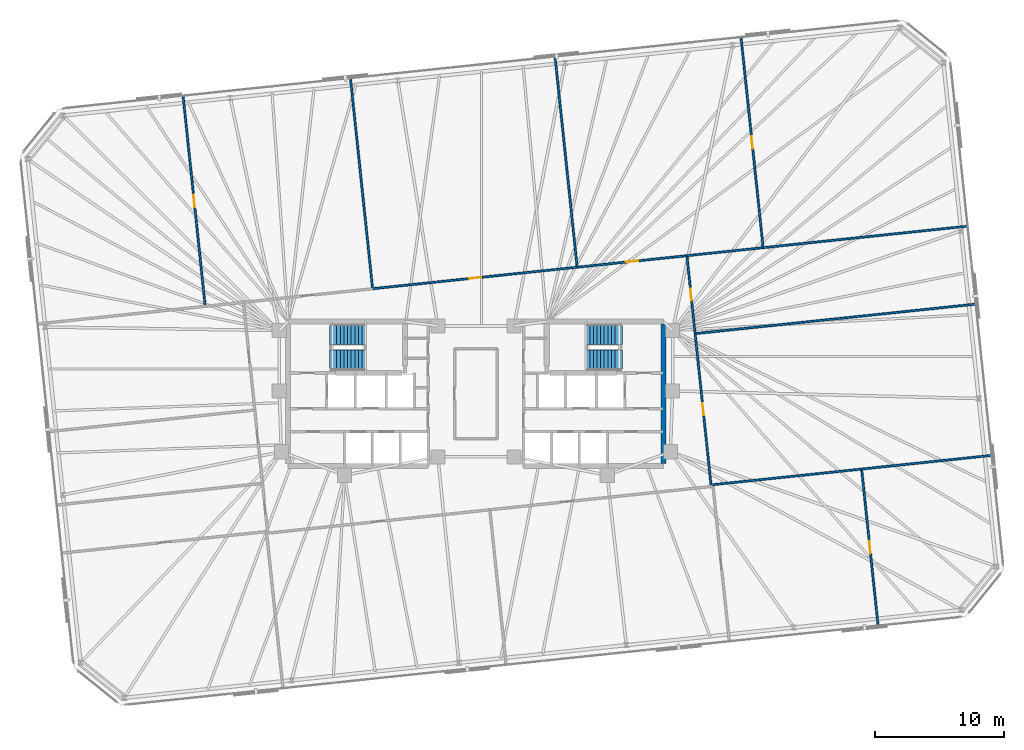
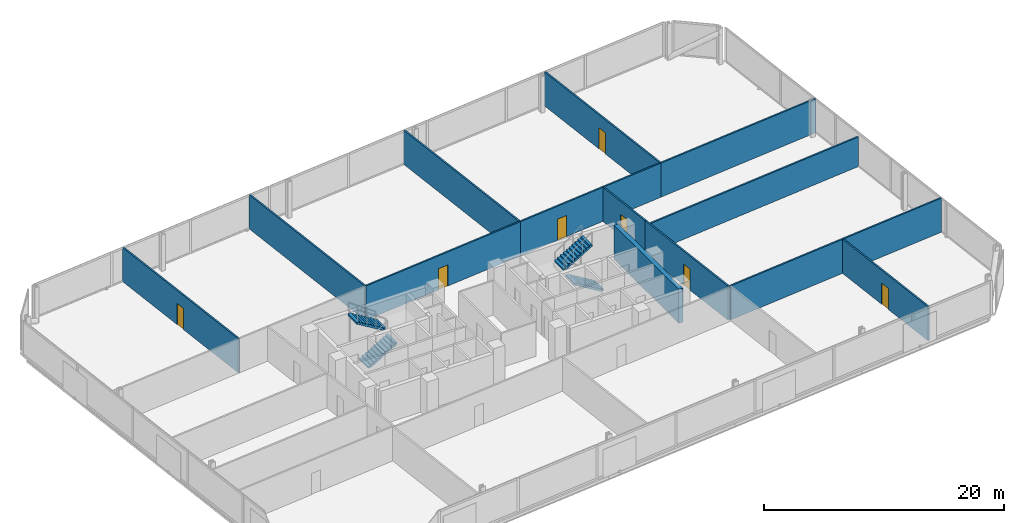
# One storey, part 16 of 18: 15 walls, 7 doors, 4 stair flights, 7 openings, 2 elements without a shape of their own.
"""IFC4 building model written with IfcOpenShell, lengths in metres."""

from ifc_helpers import new_model, si_unit, direction, frame, frame_2d, origin, place, context, subcontext, project, spatial, polyline, rectangle, outline, extrude, material, layer, layer_set, type_object, element, fill, aggregate, save


model = new_model("IFC4")

# Units and contexts
model_context = context("Model", 3, precision=1e-05, world=origin(), true_north=direction((0.0, 1.0)))
body_context = subcontext(model_context, "Body", "Model", "MODEL_VIEW")
ifc_project = project(units=[si_unit("LENGTHUNIT", "METRE"), si_unit("AREAUNIT", "SQUARE_METRE"), si_unit("VOLUMEUNIT", "CUBIC_METRE"), si_unit("PLANEANGLEUNIT", "RADIAN"), si_unit("MASSUNIT", "GRAM", prefix="KILO")], contexts=[model_context])

# Site, building, storey
site_placement = place(None, origin())
site = spatial("IfcSite", under=ifc_project, at=site_placement, CompositionType="ELEMENT")
building_placement = place(site_placement, origin())
building = spatial("IfcBuilding", under=site, at=building_placement, Name="Menara Jurai Vektor", CompositionType="ELEMENT")
storey_placement = place(building_placement, frame((0.0, 0.0, 117.0)))
storey = spatial("IfcBuildingStorey", under=building, at=storey_placement, Name="L29", CompositionType="ELEMENT", Elevation=117.0)

# Wall, opening, door
ifc_material_1 = material(Name="Gypsum Fireboard Partition", Category="gypsum")
ifc_layer_1 = layer(ifc_material_1, 0.14990234375)
ifc_layer_set_1 = layer_set([ifc_layer_1], Name="Gypsum Fireboard Partition")
wall_type_1 = type_object("IfcWallType", Name="INT-WALL-CORR-150", PredefinedType="PARTITIONING", material=ifc_layer_set_1)
wall_1_placement = place(storey_placement, frame((-8.009521484375, 8.142578125, 0.0), z_axis=(0.0, 0.0, 1.0), x_axis=(0.994521795881, 0.104529409818, 0.0)))
wall_1 = element("IfcWall", 1, at=wall_1_placement, inside=storey, type_object=wall_type_1, Name="Interior Wall IW-150 L29", PredefinedType="PARTITIONING", context=body_context, shape_type="SweptSolid", body=[
    extrude(rectangle(XDim=15.949951171875, YDim=0.14990234375, at=frame_2d((7.97509765625, 0.0))), origin(), (0.0, 0.0, 1.0), 3.47509765625),
])
opening_1_placement = place(wall_1_placement, frame((7.5, 0.0, 0.0)))
opening_1 = element("IfcOpeningElement", 2, at=opening_1_placement, cuts=wall_1, Name="Opening D29-10", PredefinedType="OPENING", context=body_context, shape_type="SweptSolid", body=[
    extrude(rectangle(XDim=0.949951171875, YDim=2.14990234375, at=frame_2d((0.47509765625, 1.074951171875))), frame((0.0, 0.0849609375, 0.0), z_axis=(0.0, -1.0, 0.0), x_axis=(1.0, 0.0, 0.0)), (0.0, 0.0, 1.0), 0.169921875),
])
ifc_material_2 = material(Name="Solid Core Timber Fire Door", Category="wood")
door_type = type_object("IfcDoorType", Name="DR-ENTRY-950", OperationType="NOTDEFINED", PredefinedType="DOOR", material=ifc_material_2)
door_1_placement = place(opening_1_placement, origin())
door_1 = element("IfcDoor", 3, at=door_1_placement, inside=storey, type_object=door_type, Name="Interior Door D29-10", OperationType="SINGLE_SWING_LEFT", OverallHeight=2.14990234375, OverallWidth=0.949951171875, PredefinedType="DOOR", context=body_context, shape_type="SweptSolid", body=[
    extrude(rectangle(XDim=0.949951171875, YDim=2.14990234375, at=frame_2d((0.47509765625, 1.074951171875))), frame((0.0, 0.02490234375, 0.0), z_axis=(0.0, -1.0, 0.0), x_axis=(1.0, 0.0, 0.0)), (0.0, 0.0, 1.0), 0.050048828125),
])
fill(opening_1, door_1)

wall_2_placement = place(storey_placement, frame((7.85302734375, 9.809814453125, 0.0), z_axis=(0.0, 0.0, 1.0), x_axis=(0.994524040814, 0.104508048698, 0.0)))
wall_2 = element("IfcWall", 4, at=wall_2_placement, inside=storey, type_object=wall_type_1, Name="Interior Wall IW-150 L29", PredefinedType="PARTITIONING", context=body_context, shape_type="SweptSolid", body=[
    extrude(rectangle(XDim=8.55712890625, YDim=0.14990234375, at=frame_2d((4.278564453125, 0.0))), origin(), (0.0, 0.0, 1.0), 3.47509765625),
])
opening_2_placement = place(wall_2_placement, frame((3.803466796875, 0.0, 0.0)))
opening_2 = element("IfcOpeningElement", 5, at=opening_2_placement, cuts=wall_2, Name="Opening D29-11", PredefinedType="OPENING", context=body_context, shape_type="SweptSolid", body=[
    extrude(rectangle(XDim=0.949951171875, YDim=2.14990234375, at=frame_2d((0.47509765625, 1.074951171875))), frame((0.0, 0.0849609375, 0.0), z_axis=(0.0, -1.0, 0.0), x_axis=(1.0, 0.0, 0.0)), (0.0, 0.0, 1.0), 0.169921875),
])
door_2_placement = place(opening_2_placement, origin())
door_2 = element("IfcDoor", 6, at=door_2_placement, inside=storey, type_object=door_type, Name="Interior Door D29-11", OperationType="SINGLE_SWING_RIGHT", OverallHeight=2.14990234375, OverallWidth=0.949951171875, PredefinedType="DOOR", context=body_context, shape_type="SweptSolid", body=[
    extrude(rectangle(XDim=0.949951171875, YDim=2.14990234375, at=frame_2d((0.47509765625, 1.074951171875))), frame((0.0, 0.02490234375, 0.0), z_axis=(0.0, -1.0, 0.0), x_axis=(1.0, 0.0, 0.0)), (0.0, 0.0, 1.0), 0.050048828125),
])
fill(opening_2, door_2)

wall_3_placement = place(storey_placement, frame((18.231201171875, -7.06787109375, 0.0), z_axis=(0.0, 0.0, 1.0), x_axis=(-0.104536082083, 0.994521094569, 0.0)))
wall_3 = element("IfcWall", 7, at=wall_3_placement, inside=storey, type_object=wall_type_1, Name="Interior Wall IW-150 L29", PredefinedType="PARTITIONING", context=body_context, shape_type="SweptSolid", body=[
    extrude(rectangle(XDim=11.794189453125, YDim=0.14990234375, at=frame_2d((5.89697265625, 0.0))), origin(), (0.0, 0.0, 1.0), 3.47509765625),
])
opening_3_placement = place(wall_3_placement, frame((5.422119140625, 0.0, 0.0)))
opening_3 = element("IfcOpeningElement", 8, at=opening_3_placement, cuts=wall_3, Name="Opening D29-17", PredefinedType="OPENING", context=body_context, shape_type="SweptSolid", body=[
    extrude(rectangle(XDim=0.949951171875, YDim=2.14990234375, at=frame_2d((0.47509765625, 1.074951171875))), frame((0.0, 0.0849609375, 0.0), z_axis=(0.0, -1.0, 0.0), x_axis=(1.0, 0.0, 0.0)), (0.0, 0.0, 1.0), 0.169921875),
])
door_3_placement = place(opening_3_placement, origin())
door_3 = element("IfcDoor", 9, at=door_3_placement, inside=storey, type_object=door_type, Name="Interior Door D29-17", OperationType="SINGLE_SWING_RIGHT", OverallHeight=2.14990234375, OverallWidth=0.949951171875, PredefinedType="DOOR", context=body_context, shape_type="SweptSolid", body=[
    extrude(rectangle(XDim=0.949951171875, YDim=2.14990234375, at=frame_2d((0.47509765625, 1.074951171875))), frame((0.0, 0.02490234375, 0.0), z_axis=(0.0, -1.0, 0.0), x_axis=(1.0, 0.0, 0.0)), (0.0, 0.0, 1.0), 0.050048828125),
])
fill(opening_3, door_3)

wall_4_placement = place(storey_placement, frame((16.998291015625, 4.66162109375, 0.0), z_axis=(0.0, 0.0, 1.0), x_axis=(-0.104515354875, 0.994523273029, 0.0)))
wall_4 = element("IfcWall", 10, at=wall_4_placement, inside=storey, type_object=wall_type_1, Name="Interior Wall IW-150 L29", PredefinedType="PARTITIONING", context=body_context, shape_type="SweptSolid", body=[
    extrude(rectangle(XDim=6.07568359375, YDim=0.14990234375, at=frame_2d((3.037841796875, 0.0))), origin(), (0.0, 0.0, 1.0), 3.47509765625),
])
opening_4_placement = place(wall_4_placement, frame((2.56298828125, 0.0, 0.0)))
opening_4 = element("IfcOpeningElement", 11, at=opening_4_placement, cuts=wall_4, Name="Opening D29-18", PredefinedType="OPENING", context=body_context, shape_type="SweptSolid", body=[
    extrude(rectangle(XDim=0.949951171875, YDim=2.14990234375, at=frame_2d((0.47509765625, 1.074951171875))), frame((0.0, 0.0849609375, 0.0), z_axis=(0.0, -1.0, 0.0), x_axis=(1.0, 0.0, 0.0)), (0.0, 0.0, 1.0), 0.169921875),
])
door_4_placement = place(opening_4_placement, origin())
door_4 = element("IfcDoor", 12, at=door_4_placement, inside=storey, type_object=door_type, Name="Interior Door D29-18", OperationType="SINGLE_SWING_LEFT", OverallHeight=2.14990234375, OverallWidth=0.949951171875, PredefinedType="DOOR", context=body_context, shape_type="SweptSolid", body=[
    extrude(rectangle(XDim=0.949951171875, YDim=2.14990234375, at=frame_2d((0.47509765625, 1.074951171875))), frame((0.0, 0.02490234375, 0.0), z_axis=(0.0, -1.0, 0.0), x_axis=(1.0, 0.0, 0.0)), (0.0, 0.0, 1.0), 0.050048828125),
])
fill(opening_4, door_4)

wall_5_placement = place(storey_placement, frame((-20.988037109375, 6.778564453125, 0.0), z_axis=(0.0, 0.0, 1.0), x_axis=(-0.104521364336, 0.99452264147, 0.0)))
wall_5 = element("IfcWall", 13, at=wall_5_placement, inside=storey, type_object=wall_type_1, Name="Interior Wall IW-150 L29", PredefinedType="PARTITIONING", context=body_context, shape_type="SweptSolid", body=[
    extrude(rectangle(XDim=16.408935546875, YDim=0.14990234375, at=frame_2d((8.20458984375, 0.0))), origin(), (0.0, 0.0, 1.0), 3.47509765625),
])
opening_5_placement = place(wall_5_placement, frame((7.7294921875, 0.0, 0.0)))
opening_5 = element("IfcOpeningElement", 14, at=opening_5_placement, cuts=wall_5, Name="Opening D29-19", PredefinedType="OPENING", context=body_context, shape_type="SweptSolid", body=[
    extrude(rectangle(XDim=0.949951171875, YDim=2.14990234375, at=frame_2d((0.47509765625, 1.074951171875))), frame((0.0, 0.0849609375, 0.0), z_axis=(0.0, -1.0, 0.0), x_axis=(1.0, 0.0, 0.0)), (0.0, 0.0, 1.0), 0.169921875),
])
door_5_placement = place(opening_5_placement, origin())
door_5 = element("IfcDoor", 15, at=door_5_placement, inside=storey, type_object=door_type, Name="Interior Door D29-19", OperationType="SINGLE_SWING_RIGHT", OverallHeight=2.14990234375, OverallWidth=0.949951171875, PredefinedType="DOOR", context=body_context, shape_type="SweptSolid", body=[
    extrude(rectangle(XDim=0.949951171875, YDim=2.14990234375, at=frame_2d((0.47509765625, 1.074951171875))), frame((0.0, 0.02490234375, 0.0), z_axis=(0.0, -1.0, 0.0), x_axis=(1.0, 0.0, 0.0)), (0.0, 0.0, 1.0), 0.050048828125),
])
fill(opening_5, door_5)

# Walls
for number, where, z_axis, x_axis, name in (
    (16, (-8.009521484375, 8.142578125, 0.0), (0.0, 0.0, 1.0), (-0.104521364336, 0.99452264147, 0.0), "Interior Wall IW-150 L29"),
    (17, (7.85302734375, 9.809814453125, 0.0), (0.0, 0.0, 1.0), (-0.104521364336, 0.99452264147, 0.0), "Interior Wall IW-150 L29"),
):
    element("IfcWall", number, at=place(storey_placement, frame(where, z_axis=z_axis, x_axis=x_axis)), inside=storey, type_object=wall_type_1, Name=name, PredefinedType="PARTITIONING", context=body_context, shape_type="SweptSolid", body=[
        extrude(rectangle(XDim=16.408935546875, YDim=0.14990234375, at=frame_2d((8.20458984375, 0.0))), origin(), (0.0, 0.0, 1.0), 3.47509765625),
    ])

# Wall, opening, door
wall_6_placement = place(storey_placement, frame((22.273681640625, 11.325439453125, 0.0), z_axis=(0.0, 0.0, 1.0), x_axis=(-0.104521364336, 0.99452264147, 0.0)))
wall_6 = element("IfcWall", 18, at=wall_6_placement, inside=storey, type_object=wall_type_1, Name="Interior Wall IW-150 L29", PredefinedType="PARTITIONING", context=body_context, shape_type="SweptSolid", body=[
    extrude(rectangle(XDim=16.408935546875, YDim=0.14990234375, at=frame_2d((8.20458984375, 0.0))), origin(), (0.0, 0.0, 1.0), 3.47509765625),
])
opening_6_placement = place(wall_6_placement, frame((7.7294921875, 0.0, 0.0)))
opening_6 = element("IfcOpeningElement", 19, at=opening_6_placement, cuts=wall_6, Name="Opening D29-20", PredefinedType="OPENING", context=body_context, shape_type="SweptSolid", body=[
    extrude(rectangle(XDim=0.949951171875, YDim=2.14990234375, at=frame_2d((0.47509765625, 1.074951171875))), frame((0.0, 0.0849609375, 0.0), z_axis=(0.0, -1.0, 0.0), x_axis=(1.0, 0.0, 0.0)), (0.0, 0.0, 1.0), 0.169921875),
])
door_6_placement = place(opening_6_placement, origin())
door_6 = element("IfcDoor", 20, at=door_6_placement, inside=storey, type_object=door_type, Name="Interior Door D29-20", OperationType="SINGLE_SWING_LEFT", OverallHeight=2.14990234375, OverallWidth=0.949951171875, PredefinedType="DOOR", context=body_context, shape_type="SweptSolid", body=[
    extrude(rectangle(XDim=0.949951171875, YDim=2.14990234375, at=frame_2d((0.47509765625, 1.074951171875))), frame((0.0, 0.02490234375, 0.0), z_axis=(0.0, -1.0, 0.0), x_axis=(1.0, 0.0, 0.0)), (0.0, 0.0, 1.0), 0.050048828125),
])
fill(opening_6, door_6)

# Walls
wall_7_placement = place(storey_placement, frame((16.36328125, 10.7041015625, 0.0), z_axis=(0.0, 0.0, 1.0), x_axis=(0.994519625036, 0.104550061783, 0.0)))
element("IfcWall", 21, at=wall_7_placement, inside=storey, type_object=wall_type_1, Name="Interior Wall IW-150 L29", PredefinedType="PARTITIONING", context=body_context, shape_type="SweptSolid", body=[
    extrude(rectangle(XDim=5.94287109375, YDim=0.14990234375, at=frame_2d((2.971435546875, 0.0))), origin(), (0.0, 0.0, 1.0), 3.47509765625),
])
wall_8_placement = place(storey_placement, frame((22.273681640625, 11.325439453125, 0.0), z_axis=(0.0, 0.0, 1.0), x_axis=(0.994521795881, 0.104529409818, 0.0)))
element("IfcWall", 22, at=wall_8_placement, inside=storey, type_object=wall_type_1, Name="Interior Wall IW-150 L29", PredefinedType="PARTITIONING", context=body_context, shape_type="SweptSolid", body=[
    extrude(rectangle(XDim=15.949951171875, YDim=0.14990234375, at=frame_2d((7.97509765625, 0.0))), origin(), (0.0, 0.0, 1.0), 3.47509765625),
])

# Wall, opening, door
wall_9_placement = place(storey_placement, frame((31.187255859375, -17.994384765625, 0.0), z_axis=(0.0, 0.0, 1.0), x_axis=(-0.104520477826, 0.99452273464, 0.0)))
wall_9 = element("IfcWall", 23, at=wall_9_placement, inside=storey, type_object=wall_type_1, Name="Interior Wall IW-150 L29", PredefinedType="PARTITIONING", context=body_context, shape_type="SweptSolid", body=[
    extrude(rectangle(XDim=12.220947265625, YDim=0.14990234375, at=frame_2d((6.1103515625, 0.0))), origin(), (0.0, 0.0, 1.0), 3.47509765625),
])
opening_7_placement = place(wall_9_placement, frame((5.635498046875, 0.0, 0.0)))
opening_7 = element("IfcOpeningElement", 24, at=opening_7_placement, cuts=wall_9, Name="Opening D29-23", PredefinedType="OPENING", context=body_context, shape_type="SweptSolid", body=[
    extrude(rectangle(XDim=0.949951171875, YDim=2.14990234375, at=frame_2d((0.47509765625, 1.074951171875))), frame((0.0, 0.0849609375, 0.0), z_axis=(0.0, -1.0, 0.0), x_axis=(1.0, 0.0, 0.0)), (0.0, 0.0, 1.0), 0.169921875),
])
door_7_placement = place(opening_7_placement, origin())
door_7 = element("IfcDoor", 25, at=door_7_placement, inside=storey, type_object=door_type, Name="Interior Door D29-23", OperationType="SINGLE_SWING_RIGHT", OverallHeight=2.14990234375, OverallWidth=0.949951171875, PredefinedType="DOOR", context=body_context, shape_type="SweptSolid", body=[
    extrude(rectangle(XDim=0.949951171875, YDim=2.14990234375, at=frame_2d((0.47509765625, 1.074951171875))), frame((0.0, 0.02490234375, 0.0), z_axis=(0.0, -1.0, 0.0), x_axis=(1.0, 0.0, 0.0)), (0.0, 0.0, 1.0), 0.050048828125),
])
fill(opening_7, door_7)

# Walls
wall_10_placement = place(storey_placement, frame((18.373291015625, -7.052978515625, 0.0), z_axis=(0.0, 0.0, 1.0), x_axis=(0.994521010406, 0.104536882776, 0.0)))
element("IfcWall", 26, at=wall_10_placement, inside=storey, type_object=wall_type_1, Name="Interior Wall IW-150 L29", PredefinedType="PARTITIONING", context=body_context, shape_type="SweptSolid", body=[
    extrude(rectangle(XDim=11.60009765625, YDim=0.14990234375, at=frame_2d((5.800048828125, 0.0))), origin(), (0.0, 0.0, 1.0), 3.47509765625),
])
wall_11_placement = place(storey_placement, frame((29.909912109375, -5.84033203125, 0.0), z_axis=(0.0, 0.0, 1.0), x_axis=(0.994521257273, 0.104534534165, 0.0)))
element("IfcWall", 27, at=wall_11_placement, inside=storey, type_object=wall_type_1, Name="Interior Wall IW-150 L29", PredefinedType="PARTITIONING", context=body_context, shape_type="SweptSolid", body=[
    extrude(rectangle(XDim=10.150146484375, YDim=0.14990234375, at=frame_2d((5.0751953125, 0.0))), origin(), (0.0, 0.0, 1.0), 3.47509765625),
])
ifc_layer_2 = layer(ifc_material_1, 0.14990234375)
ifc_layer_set_2 = layer_set([ifc_layer_2], Name="Gypsum Fireboard Partition")
wall_type_2 = type_object("IfcWallType", Name="INT-WALL-CORR-150-H1", PredefinedType="PARTITIONING", material=ifc_layer_set_2)
wall_12_placement = place(storey_placement, frame((16.998291015625, 4.66162109375, 0.0), z_axis=(0.0, 0.0, 1.0), x_axis=(0.994522487751, 0.10452282697, 0.0)))
element("IfcWall", 28, at=wall_12_placement, inside=storey, type_object=wall_type_2, Name="Interior Wall IW-150 L29", PredefinedType="PARTITIONING", context=body_context, shape_type="SweptSolid", body=[
    extrude(rectangle(XDim=21.89306640625, YDim=0.14990234375, at=frame_2d((10.946533203125, 0.0))), origin(), (0.0, 0.0, 1.0), 3.02490234375),
])
ifc_material_3 = material(Name="Concrete C50/60", Category="concrete")
ifc_layer_3 = layer(ifc_material_3, 0.39990234375)
ifc_layer_set_3 = layer_set([ifc_layer_3], Name="Concrete C50/60")
wall_type_3 = type_object("IfcWallType", Name="STR-WALL-CORE400", PredefinedType="SHEAR", material=ifc_layer_set_3)
wall_13_placement = place(storey_placement, frame((14.56005859375, -5.39990234375, 0.0), z_axis=(0.0, 0.0, 1.0), x_axis=(0.0, 1.0, 0.0)))
element("IfcWall", 29, at=wall_13_placement, inside=storey, type_object=wall_type_3, Name="Core Shear Wall CW-E-E L29", PredefinedType="SHEAR", context=body_context, shape_type="SweptSolid", body=[
    extrude(rectangle(XDim=10.7998046875, YDim=0.39990234375, at=frame_2d((5.39990234375, 0.0))), origin(), (0.0, 0.0, 1.0), 3.47509765625),
])

# Stair, stair flights
ifc_material_4 = material(Name="Concrete C40/50", Category="concrete")
stair_type = type_object("IfcStairType", Name="STAIR-DOGLEG-1500", PredefinedType="HALF_TURN_STAIR", material=ifc_material_4)
stair_1_placement = place(storey_placement, origin())
stair_1 = element("IfcStair", 30, at=stair_1_placement, inside=storey, type_object=stair_type, Name="Protected Exit Stair ST1 L29", PredefinedType="HALF_TURN_STAIR")
stair_flight_type = type_object("IfcStairFlightType", Name="STAIR-FLIGHT-1500", PredefinedType="STRAIGHT", material=ifc_material_4)
stair_flight_1_placement = place(storey_placement, frame((-11.35009765625, 2.64990234375, 0.0), z_axis=(0.0, 0.0, 1.0), x_axis=(1.0, 0.0, 0.0)))
stair_flight_1 = element("IfcStairFlight", 31, at=stair_flight_1_placement, type_object=stair_flight_type, Name="ST1 flight 1", NumberOfRisers=11, NumberOfTreads=10, PredefinedType="STRAIGHT", RiserHeight=0.168182, TreadLength=0.28, context=body_context, shape_type="SweptSolid", body=[
    extrude(outline(polyline([(0.0, 0.0), (0.0, 0.168212890625), (0.280029296875, 0.168212890625), (0.280029296875, 0.33642578125), (0.56005859375, 0.33642578125), (0.56005859375, 0.504638671875), (0.840087890625, 0.504638671875), (0.840087890625, 0.672607421875), (1.1201171875, 0.672607421875), (1.1201171875, 0.8408203125), (1.39990234375, 0.8408203125), (1.39990234375, 1.009033203125), (1.679931640625, 1.009033203125), (1.679931640625, 1.17724609375), (1.9599609375, 1.17724609375), (1.9599609375, 1.345458984375), (2.239990234375, 1.345458984375), (2.239990234375, 1.513671875), (2.52001953125, 1.513671875), (2.52001953125, 1.681884765625), (2.800048828125, 1.681884765625), (2.800048828125, 1.85009765625), (2.800048828125, 1.495361328125), (0.310546875, 0.0), (0.0, 0.0)])), frame((0.0, 0.75, 0.0), z_axis=(0.0, -1.0, 0.0), x_axis=(1.0, 0.0, 0.0)), (0.0, 0.0, 1.0), 1.5),
])
stair_flight_2_placement = place(storey_placement, frame((-8.550048828125, 4.550048828125, 1.85009765625), z_axis=(0.0, 0.0, 1.0), x_axis=(-1.0, 0.0, 0.0)))
stair_flight_2 = element("IfcStairFlight", 32, at=stair_flight_2_placement, type_object=stair_flight_type, Name="ST1 flight 2", NumberOfRisers=11, NumberOfTreads=10, PredefinedType="STRAIGHT", RiserHeight=0.168182, TreadLength=0.28, context=body_context, shape_type="SweptSolid", body=[
    extrude(outline(polyline([(0.0, 0.0), (0.0, 0.168212890625), (0.280029296875, 0.168212890625), (0.280029296875, 0.33642578125), (0.56005859375, 0.33642578125), (0.56005859375, 0.504638671875), (0.840087890625, 0.504638671875), (0.840087890625, 0.672607421875), (1.1201171875, 0.672607421875), (1.1201171875, 0.8408203125), (1.39990234375, 0.8408203125), (1.39990234375, 1.009033203125), (1.679931640625, 1.009033203125), (1.679931640625, 1.17724609375), (1.9599609375, 1.17724609375), (1.9599609375, 1.345458984375), (2.239990234375, 1.345458984375), (2.239990234375, 1.513671875), (2.52001953125, 1.513671875), (2.52001953125, 1.681884765625), (2.800048828125, 1.681884765625), (2.800048828125, 1.85009765625), (2.800048828125, 1.495361328125), (0.310546875, 0.0), (0.0, 0.0)])), frame((0.0, 0.75, 0.0), z_axis=(0.0, -1.0, 0.0), x_axis=(1.0, 0.0, 0.0)), (0.0, 0.0, 1.0), 1.5),
])
aggregate(stair_1, [stair_flight_1, stair_flight_2])

stair_2_placement = place(storey_placement, origin())
stair_2 = element("IfcStair", 33, at=stair_2_placement, inside=storey, type_object=stair_type, Name="Protected Exit Stair ST2 L29", PredefinedType="HALF_TURN_STAIR")
stair_flight_3_placement = place(storey_placement, frame((11.35009765625, 2.64990234375, 0.0), z_axis=(0.0, 0.0, 1.0), x_axis=(-1.0, 0.0, 0.0)))
stair_flight_3 = element("IfcStairFlight", 34, at=stair_flight_3_placement, type_object=stair_flight_type, Name="ST2 flight 1", NumberOfRisers=11, NumberOfTreads=10, PredefinedType="STRAIGHT", RiserHeight=0.168182, TreadLength=0.28, context=body_context, shape_type="SweptSolid", body=[
    extrude(outline(polyline([(0.0, 0.0), (0.0, 0.168212890625), (0.280029296875, 0.168212890625), (0.280029296875, 0.33642578125), (0.56005859375, 0.33642578125), (0.56005859375, 0.504638671875), (0.840087890625, 0.504638671875), (0.840087890625, 0.672607421875), (1.1201171875, 0.672607421875), (1.1201171875, 0.8408203125), (1.39990234375, 0.8408203125), (1.39990234375, 1.009033203125), (1.679931640625, 1.009033203125), (1.679931640625, 1.17724609375), (1.9599609375, 1.17724609375), (1.9599609375, 1.345458984375), (2.239990234375, 1.345458984375), (2.239990234375, 1.513671875), (2.52001953125, 1.513671875), (2.52001953125, 1.681884765625), (2.800048828125, 1.681884765625), (2.800048828125, 1.85009765625), (2.800048828125, 1.495361328125), (0.310546875, 0.0), (0.0, 0.0)])), frame((0.0, 0.75, 0.0), z_axis=(0.0, -1.0, 0.0), x_axis=(1.0, 0.0, 0.0)), (0.0, 0.0, 1.0), 1.5),
])
stair_flight_4_placement = place(storey_placement, frame((8.550048828125, 4.550048828125, 1.85009765625), z_axis=(0.0, 0.0, 1.0), x_axis=(1.0, 0.0, 0.0)))
stair_flight_4 = element("IfcStairFlight", 35, at=stair_flight_4_placement, type_object=stair_flight_type, Name="ST2 flight 2", NumberOfRisers=11, NumberOfTreads=10, PredefinedType="STRAIGHT", RiserHeight=0.168182, TreadLength=0.28, context=body_context, shape_type="SweptSolid", body=[
    extrude(outline(polyline([(0.0, 0.0), (0.0, 0.168212890625), (0.280029296875, 0.168212890625), (0.280029296875, 0.33642578125), (0.56005859375, 0.33642578125), (0.56005859375, 0.504638671875), (0.840087890625, 0.504638671875), (0.840087890625, 0.672607421875), (1.1201171875, 0.672607421875), (1.1201171875, 0.8408203125), (1.39990234375, 0.8408203125), (1.39990234375, 1.009033203125), (1.679931640625, 1.009033203125), (1.679931640625, 1.17724609375), (1.9599609375, 1.17724609375), (1.9599609375, 1.345458984375), (2.239990234375, 1.345458984375), (2.239990234375, 1.513671875), (2.52001953125, 1.513671875), (2.52001953125, 1.681884765625), (2.800048828125, 1.681884765625), (2.800048828125, 1.85009765625), (2.800048828125, 1.495361328125), (0.310546875, 0.0), (0.0, 0.0)])), frame((0.0, 0.75, 0.0), z_axis=(0.0, -1.0, 0.0), x_axis=(1.0, 0.0, 0.0)), (0.0, 0.0, 1.0), 1.5),
])
aggregate(stair_2, [stair_flight_3, stair_flight_4])

save(model, "model.ifc")
